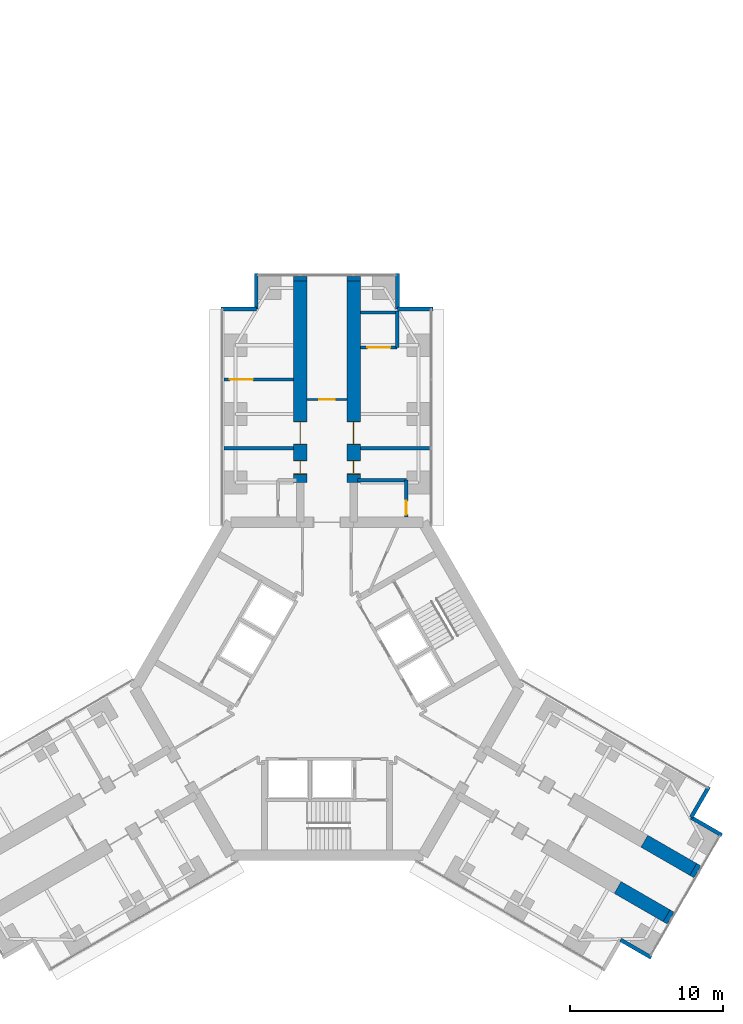
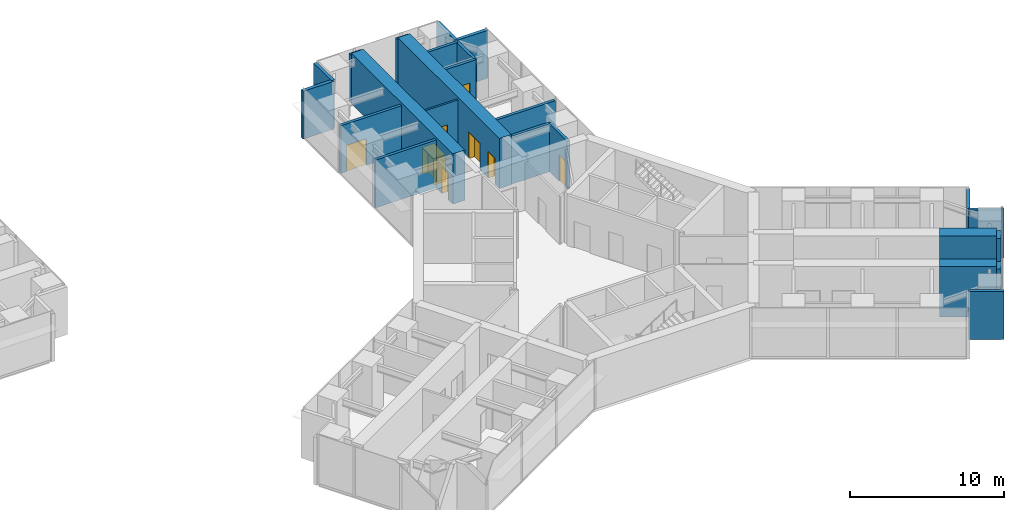
# One storey, part 21 of 23: 24 walls, 8 doors, 8 openings.
"""IFC4 building model written with IfcOpenShell, lengths in metres."""

from ifc_helpers import new_model, si_unit, direction, frame, frame_2d, origin, place, context, subcontext, project, spatial, rectangle, extrude, material, layer, layer_set, type_object, element, fill, save


model = new_model("IFC4")

# Units and contexts
model_context = context("Model", 3, precision=1e-05, world=origin(), true_north=direction((0.0, 1.0)))
body_context = subcontext(model_context, "Body", "Model", "MODEL_VIEW")
ifc_project = project(units=[si_unit("LENGTHUNIT", "METRE"), si_unit("AREAUNIT", "SQUARE_METRE"), si_unit("VOLUMEUNIT", "CUBIC_METRE"), si_unit("PLANEANGLEUNIT", "RADIAN"), si_unit("MASSUNIT", "GRAM", prefix="KILO")], contexts=[model_context])

# Site, building, storey
site_placement = place(None, origin())
site = spatial("IfcSite", under=ifc_project, at=site_placement, CompositionType="ELEMENT")
building_placement = place(site_placement, origin())
building = spatial("IfcBuilding", under=site, at=building_placement, Name="Upepo Twin Towers", CompositionType="ELEMENT")
storey_placement = place(building_placement, frame((0.0, 0.0, 28.5)))
storey = spatial("IfcBuildingStorey", under=building, at=storey_placement, Name="L06", CompositionType="ELEMENT", Elevation=28.5)

# Wall
ifc_material_1 = material(Name="Concrete blockwork, plastered both faces", Category="masonry")
ifc_layer_1 = layer(ifc_material_1, 0.215087890625)
ifc_layer_set_1 = layer_set([ifc_layer_1], Name="Blockwork partition 215")
wall_type_1 = type_object("IfcWallType", Name="Blockwork partition 215", PredefinedType="PARTITIONING", material=ifc_layer_set_1)
wall_1_placement = place(storey_placement, frame((56.300048828125, -2.25, 0.0), z_axis=(0.0, 0.0, 1.0), x_axis=(-1.0, 0.0, 0.0)))
element("IfcWall", 1, at=wall_1_placement, inside=storey, type_object=wall_type_1, Name="T2 partition AL at 15.75", PredefinedType="PARTITIONING", context=body_context, shape_type="SweptSolid", body=[
    extrude(rectangle(XDim=4.550048828125, YDim=0.215087890625, at=frame_2d((2.27490234375, 0.0))), origin(), (0.0, 0.0, 1.0), 3.800048828125),
])

# Wall, opening, door
wall_2_placement = place(storey_placement, frame((56.300048828125, 2.25, 0.0), z_axis=(0.0, 0.0, 1.0), x_axis=(-1.0, 0.0, 0.0)))
wall_2 = element("IfcWall", 2, at=wall_2_placement, inside=storey, type_object=wall_type_1, Name="T2 partition AL at 20.25", PredefinedType="PARTITIONING", context=body_context, shape_type="SweptSolid", body=[
    extrude(rectangle(XDim=4.550048828125, YDim=0.215087890625, at=frame_2d((2.27490234375, 0.0))), origin(), (0.0, 0.0, 1.0), 3.800048828125),
])
opening_1_placement = place(wall_2_placement, frame((2.64990234375, 0.0, 0.0)))
opening_1 = element("IfcOpeningElement", 3, at=opening_1_placement, cuts=wall_2, Name="Opening D13", PredefinedType="OPENING", context=body_context, shape_type="SweptSolid", body=[
    extrude(rectangle(XDim=1.5, YDim=2.10009765625, at=frame_2d((0.75, 1.050048828125))), frame((0.0, 0.117431640625, 0.0), z_axis=(0.0, -1.0, 0.0), x_axis=(1.0, 0.0, 0.0)), (0.0, 0.0, 1.0), 0.235107421875),
])
ifc_material_2 = material(Name="Timber doorset", Category="wood")
door_type_1 = type_object("IfcDoorType", Name="Double door 1500 FD30", OperationType="DOUBLE_DOOR_SINGLE_SWING", PredefinedType="DOOR", material=ifc_material_2)
door_1_placement = place(opening_1_placement, origin())
door_1 = element("IfcDoor", 4, at=door_1_placement, inside=storey, type_object=door_type_1, Name="T2 L06 connecting door", OperationType="DOUBLE_DOOR_SINGLE_SWING", OverallHeight=2.10009765625, OverallWidth=1.5, PredefinedType="DOOR", context=body_context, shape_type="SweptSolid", body=[
    extrude(rectangle(XDim=1.5, YDim=2.10009765625, at=frame_2d((0.75, 1.050048828125))), frame((0.0, 0.02490234375, 0.0), z_axis=(0.0, -1.0, 0.0), x_axis=(1.0, 0.0, 0.0)), (0.0, 0.0, 1.0), 0.050048828125),
])
fill(opening_1, door_1)

# Walls
wall_3_placement = place(storey_placement, frame((60.699951171875, -2.25, 0.0), z_axis=(0.0, 0.0, 1.0), x_axis=(1.0, 0.0, 0.0)))
element("IfcWall", 5, at=wall_3_placement, inside=storey, type_object=wall_type_1, Name="T2 partition AR at 15.75", PredefinedType="PARTITIONING", context=body_context, shape_type="SweptSolid", body=[
    extrude(rectangle(XDim=4.550048828125, YDim=0.215087890625, at=frame_2d((2.27490234375, 0.0))), origin(), (0.0, 0.0, 1.0), 3.800048828125),
])
wall_4_placement = place(storey_placement, frame((63.10009765625, 4.35009765625, 0.0), z_axis=(0.0, 0.0, 1.0), x_axis=(0.0, 1.0, 0.0)))
element("IfcWall", 6, at=wall_4_placement, inside=storey, type_object=wall_type_1, Name="T2 inner room partition AR at 22.35", PredefinedType="PARTITIONING", context=body_context, shape_type="SweptSolid", body=[
    extrude(rectangle(XDim=2.39990234375, YDim=0.215087890625, at=frame_2d((1.199951171875, 0.0))), origin(), (0.0, 0.0, 1.0), 3.800048828125),
])

# Wall, opening, door
wall_5_placement = place(storey_placement, frame((60.699951171875, 4.35009765625, 0.0), z_axis=(0.0, 0.0, 1.0), x_axis=(1.0, 0.0, 0.0)))
wall_5 = element("IfcWall", 7, at=wall_5_placement, inside=storey, type_object=wall_type_1, Name="T2 inner room partition AR end at 22.35", PredefinedType="PARTITIONING", context=body_context, shape_type="SweptSolid", body=[
    extrude(rectangle(XDim=2.400146484375, YDim=0.215087890625, at=frame_2d((1.2001953125, 0.0))), origin(), (0.0, 0.0, 1.0), 3.800048828125),
])
opening_2_placement = place(wall_5_placement, frame((0.449951171875, 0.0, 0.0)))
opening_2 = element("IfcOpeningElement", 8, at=opening_2_placement, cuts=wall_5, Name="Opening D13", PredefinedType="OPENING", context=body_context, shape_type="SweptSolid", body=[
    extrude(rectangle(XDim=1.5, YDim=2.10009765625, at=frame_2d((0.75, 1.050048828125))), frame((0.0, 0.117431640625, 0.0), z_axis=(0.0, -1.0, 0.0), x_axis=(1.0, 0.0, 0.0)), (0.0, 0.0, 1.0), 0.235107421875),
])
door_2_placement = place(opening_2_placement, origin())
door_2 = element("IfcDoor", 9, at=door_2_placement, inside=storey, type_object=door_type_1, Name="T2 L06 inner room door", OperationType="DOUBLE_DOOR_SINGLE_SWING", OverallHeight=2.10009765625, OverallWidth=1.5, PredefinedType="DOOR", context=body_context, shape_type="SweptSolid", body=[
    extrude(rectangle(XDim=1.5, YDim=2.10009765625, at=frame_2d((0.75, 1.050048828125))), frame((0.0, 0.02490234375, 0.0), z_axis=(0.0, -1.0, 0.0), x_axis=(1.0, 0.0, 0.0)), (0.0, 0.0, 1.0), 0.050048828125),
])
fill(opening_2, door_2)

# Wall
wall_6_placement = place(storey_placement, frame((60.699951171875, 6.642578125, 0.0), z_axis=(0.0, 0.0, 1.0), x_axis=(1.0, 0.0, 0.0)))
element("IfcWall", 10, at=wall_6_placement, inside=storey, type_object=wall_type_1, Name="T2 inner room partition AR end at 24.75", PredefinedType="PARTITIONING", context=body_context, shape_type="SweptSolid", body=[
    extrude(rectangle(XDim=2.400146484375, YDim=0.215087890625, at=frame_2d((1.2001953125, 0.0))), origin(), (0.0, 0.0, 1.0), 3.800048828125),
])

# Wall, opening, door
wall_7_placement = place(storey_placement, frame((63.699951171875, -6.741943359375, 0.0), z_axis=(0.0, 0.0, 1.0), x_axis=(0.0, 1.0, 0.0)))
wall_7 = element("IfcWall", 11, at=wall_7_placement, inside=storey, type_object=wall_type_1, Name="T2 WC bay partition AR at 11.26", PredefinedType="PARTITIONING", context=body_context, shape_type="SweptSolid", body=[
    extrude(rectangle(XDim=2.39990234375, YDim=0.215087890625, at=frame_2d((1.199951171875, 0.0))), origin(), (0.0, 0.0, 1.0), 3.800048828125),
])
opening_3_placement = place(wall_7_placement, frame((0.14990234375, 0.0, 0.0)))
opening_3 = element("IfcOpeningElement", 12, at=opening_3_placement, cuts=wall_7, Name="Opening D14", PredefinedType="OPENING", context=body_context, shape_type="SweptSolid", body=[
    extrude(rectangle(XDim=0.89990234375, YDim=2.10009765625, at=frame_2d((0.449951171875, 1.050048828125))), frame((0.0, 0.117431640625, 0.0), z_axis=(0.0, -1.0, 0.0), x_axis=(1.0, 0.0, 0.0)), (0.0, 0.0, 1.0), 0.235107421875),
])
ifc_material_3 = material(Name="Timber doorset", Category="wood")
door_type_2 = type_object("IfcDoorType", Name="Office door 900 FD30", OperationType="SINGLE_SWING_LEFT", PredefinedType="DOOR", material=ifc_material_3)
door_3_placement = place(opening_3_placement, origin())
door_3 = element("IfcDoor", 13, at=door_3_placement, inside=storey, type_object=door_type_2, Name="T2 L06 WC bay inner room door", OperationType="SINGLE_SWING_LEFT", OverallHeight=2.10009765625, OverallWidth=0.89990234375, PredefinedType="DOOR", context=body_context, shape_type="SweptSolid", body=[
    extrude(rectangle(XDim=0.89990234375, YDim=2.10009765625, at=frame_2d((0.449951171875, 1.050048828125))), frame((0.0, 0.02490234375, 0.0), z_axis=(0.0, -1.0, 0.0), x_axis=(1.0, 0.0, 0.0)), (0.0, 0.0, 1.0), 0.050048828125),
])
fill(opening_3, door_3)

# Walls
wall_8_placement = place(storey_placement, frame((60.5, -4.342041015625, 0.0), z_axis=(0.0, 0.0, 1.0), x_axis=(1.0, 0.0, 0.0)))
element("IfcWall", 14, at=wall_8_placement, inside=storey, type_object=wall_type_1, Name="T2 WC bay partition AR end at 13.66", PredefinedType="PARTITIONING", context=body_context, shape_type="SweptSolid", body=[
    extrude(rectangle(XDim=3.199951171875, YDim=0.215087890625, at=frame_2d((1.60009765625, 0.0))), origin(), (0.0, 0.0, 1.0), 3.800048828125),
])
ifc_material_4 = material(Name="Dense concrete blockwork", Category="masonry")
ifc_layer_2 = layer(ifc_material_4, 0.89990234375)
ifc_layer_set_2 = layer_set([ifc_layer_2], Name="Buttress closer 900, blockwork with fire-stopping to the curtain wall")
wall_type_2 = type_object("IfcWallType", Name="Buttress closer 900, blockwork with fire-stopping to the curtain wall", PredefinedType="PARTITIONING", material=ifc_layer_set_2)
for number, where, z_axis, x_axis, name in (
    (15, (56.75, 8.699951171875, 0.0), (0.0, 0.0, 1.0), (0.0, 1.0, 0.0), "T2 L06 wing A buttress closer L"),
    (16, (60.25, 8.699951171875, 0.0), (0.0, 0.0, 1.0), (0.0, 1.0, 0.0), "T2 L06 wing A buttress closer R"),
    (17, (82.497802734375, -29.83447265625, 0.0), (0.0, 0.0, 1.0), (0.866054481515, -0.499949632511, 0.0), "T2 L06 wing C buttress closer L"),
    (18, (80.747802734375, -32.865478515625, 0.0), (0.0, 0.0, 1.0), (0.866054481515, -0.499949632511, 0.0), "T2 L06 wing C buttress closer R"),
):
    element("IfcWall", number, at=place(storey_placement, frame(where, z_axis=z_axis, x_axis=x_axis)), inside=storey, type_object=wall_type_2, Name=name, PredefinedType="PARTITIONING", context=body_context, shape_type="SweptSolid", body=[
        extrude(rectangle(XDim=0.31005859375, YDim=0.89990234375, at=frame_2d((0.155029296875, 0.0))), origin(), (0.0, 0.0, 1.0), 3.800048828125),
    ])

# Wall, openings, doors
ifc_material_5 = material(Name="Concrete C60/75", Category="concrete")
ifc_layer_3 = layer(ifc_material_5, 0.89990234375)
ifc_layer_set_3 = layer_set([ifc_layer_3], Name="Concrete C60/75")
wall_type_3 = type_object("IfcWallType", Name="Buttress wall 900 RC", PredefinedType="SHEAR", material=ifc_layer_set_3)
wall_9_placement = place(storey_placement, frame((56.75, -4.5, 0.0), z_axis=(0.0, 0.0, 1.0), x_axis=(0.0, 1.0, 0.0)))
wall_9 = element("IfcWall", 19, at=wall_9_placement, inside=storey, type_object=wall_type_3, Name="T2 wing A buttress wall L part 2", PredefinedType="SHEAR", context=body_context, shape_type="SweptSolid", body=[
    extrude(rectangle(XDim=13.199951171875, YDim=0.89990234375, at=frame_2d((6.60009765625, 0.0))), origin(), (0.0, 0.0, 1.0), 4.0),
])
opening_4_placement = place(wall_9_placement, frame((0.550048828125, 0.0, 0.0)))
opening_4 = element("IfcOpeningElement", 20, at=opening_4_placement, cuts=wall_9, Name="Opening D11", PredefinedType="OPENING", context=body_context, shape_type="SweptSolid", body=[
    extrude(rectangle(XDim=0.89990234375, YDim=2.10009765625, at=frame_2d((0.449951171875, 1.050048828125))), frame((0.0, 0.4599609375, 0.0), z_axis=(0.0, -1.0, 0.0), x_axis=(1.0, 0.0, 0.0)), (0.0, 0.0, 1.0), 0.919921875),
])
opening_5_placement = place(wall_9_placement, frame((2.5, 0.0, 0.0)))
opening_5 = element("IfcOpeningElement", 21, at=opening_5_placement, cuts=wall_9, Name="Opening D13", PredefinedType="OPENING", context=body_context, shape_type="SweptSolid", body=[
    extrude(rectangle(XDim=1.5, YDim=2.10009765625, at=frame_2d((0.75, 1.050048828125))), frame((0.0, 0.4599609375, 0.0), z_axis=(0.0, -1.0, 0.0), x_axis=(1.0, 0.0, 0.0)), (0.0, 0.0, 1.0), 0.919921875),
])
door_4_placement = place(opening_5_placement, origin())
door_4 = element("IfcDoor", 22, at=door_4_placement, inside=storey, type_object=door_type_1, Name="T2 L06 tutorial room door", OperationType="DOUBLE_DOOR_SINGLE_SWING", OverallHeight=2.10009765625, OverallWidth=1.5, PredefinedType="DOOR", context=body_context, shape_type="SweptSolid", body=[
    extrude(rectangle(XDim=1.42, YDim=2.06009765625, at=frame_2d((0.75, 1.030029296875))), frame((0.0, 0.02490234375, 0.0), z_axis=(0.0, -1.0, 0.0), x_axis=(1.0, 0.0, 0.0)), (0.0, 0.0, 1.0), 0.050048828125),
    extrude(rectangle(XDim=0.04, YDim=2.10009765625, at=frame_2d((0.02001953125, 1.050048828125))), frame((0.0, 0.44970703125, 0.0), z_axis=(0.0, -1.0, 0.0), x_axis=(1.0, 0.0, 0.0)), (0.0, 0.0, 1.0), 0.8994140625),
    extrude(rectangle(XDim=0.04, YDim=2.10009765625, at=frame_2d((1.47998046875, 1.050048828125))), frame((0.0, 0.44970703125, 0.0), z_axis=(0.0, -1.0, 0.0), x_axis=(1.0, 0.0, 0.0)), (0.0, 0.0, 1.0), 0.8994140625),
    extrude(rectangle(XDim=1.42, YDim=0.04, at=frame_2d((0.75, 2.080078125))), frame((0.0, 0.44970703125, 0.0), z_axis=(0.0, -1.0, 0.0), x_axis=(1.0, 0.0, 0.0)), (0.0, 0.0, 1.0), 0.8994140625),
])
fill(opening_5, door_4)
ifc_material_6 = material(Name="Timber doorset", Category="wood")
door_type_3 = type_object("IfcDoorType", Name="Toilet door 900", OperationType="SINGLE_SWING_LEFT", PredefinedType="DOOR", material=ifc_material_6)
door_5_placement = place(opening_4_placement, origin())
door_5 = element("IfcDoor", 23, at=door_5_placement, inside=storey, type_object=door_type_3, Name="T2 L06 toilets door", OperationType="SINGLE_SWING_LEFT", OverallHeight=2.10009765625, OverallWidth=0.89990234375, PredefinedType="DOOR", context=body_context, shape_type="SweptSolid", body=[
    extrude(rectangle(XDim=0.81990234375, YDim=2.06009765625, at=frame_2d((0.449951171875, 1.030029296875))), frame((0.0, 0.02490234375, 0.0), z_axis=(0.0, -1.0, 0.0), x_axis=(1.0, 0.0, 0.0)), (0.0, 0.0, 1.0), 0.050048828125),
    extrude(rectangle(XDim=0.04, YDim=2.10009765625, at=frame_2d((0.02001953125, 1.050048828125))), frame((0.0, 0.44970703125, 0.0), z_axis=(0.0, -1.0, 0.0), x_axis=(1.0, 0.0, 0.0)), (0.0, 0.0, 1.0), 0.8994140625),
    extrude(rectangle(XDim=0.04, YDim=2.10009765625, at=frame_2d((0.8798828125, 1.050048828125))), frame((0.0, 0.44970703125, 0.0), z_axis=(0.0, -1.0, 0.0), x_axis=(1.0, 0.0, 0.0)), (0.0, 0.0, 1.0), 0.8994140625),
    extrude(rectangle(XDim=0.81990234375, YDim=0.04, at=frame_2d((0.449951171875, 2.080078125))), frame((0.0, 0.44970703125, 0.0), z_axis=(0.0, -1.0, 0.0), x_axis=(1.0, 0.0, 0.0)), (0.0, 0.0, 1.0), 0.8994140625),
])
fill(opening_4, door_5)

wall_10_placement = place(storey_placement, frame((60.25, -4.5, 0.0), z_axis=(0.0, 0.0, 1.0), x_axis=(0.0, 1.0, 0.0)))
wall_10 = element("IfcWall", 24, at=wall_10_placement, inside=storey, type_object=wall_type_3, Name="T2 wing A buttress wall R part 2", PredefinedType="SHEAR", context=body_context, shape_type="SweptSolid", body=[
    extrude(rectangle(XDim=13.199951171875, YDim=0.89990234375, at=frame_2d((6.60009765625, 0.0))), origin(), (0.0, 0.0, 1.0), 4.0),
])
opening_6_placement = place(wall_10_placement, frame((0.550048828125, 0.0, 0.0)))
opening_6 = element("IfcOpeningElement", 25, at=opening_6_placement, cuts=wall_10, Name="Opening D11", PredefinedType="OPENING", context=body_context, shape_type="SweptSolid", body=[
    extrude(rectangle(XDim=0.89990234375, YDim=2.10009765625, at=frame_2d((0.449951171875, 1.050048828125))), frame((0.0, 0.4599609375, 0.0), z_axis=(0.0, -1.0, 0.0), x_axis=(1.0, 0.0, 0.0)), (0.0, 0.0, 1.0), 0.919921875),
])
opening_7_placement = place(wall_10_placement, frame((2.5, 0.0, 0.0)))
opening_7 = element("IfcOpeningElement", 26, at=opening_7_placement, cuts=wall_10, Name="Opening D13", PredefinedType="OPENING", context=body_context, shape_type="SweptSolid", body=[
    extrude(rectangle(XDim=1.5, YDim=2.10009765625, at=frame_2d((0.75, 1.050048828125))), frame((0.0, 0.4599609375, 0.0), z_axis=(0.0, -1.0, 0.0), x_axis=(1.0, 0.0, 0.0)), (0.0, 0.0, 1.0), 0.919921875),
])
door_6_placement = place(opening_7_placement, origin())
door_6 = element("IfcDoor", 27, at=door_6_placement, inside=storey, type_object=door_type_1, Name="T2 L06 lecture room door", OperationType="DOUBLE_DOOR_SINGLE_SWING", OverallHeight=2.10009765625, OverallWidth=1.5, PredefinedType="DOOR", context=body_context, shape_type="SweptSolid", body=[
    extrude(rectangle(XDim=1.42, YDim=2.06009765625, at=frame_2d((0.75, 1.030029296875))), frame((0.0, 0.02490234375, 0.0), z_axis=(0.0, -1.0, 0.0), x_axis=(1.0, 0.0, 0.0)), (0.0, 0.0, 1.0), 0.050048828125),
    extrude(rectangle(XDim=0.04, YDim=2.10009765625, at=frame_2d((0.02001953125, 1.050048828125))), frame((0.0, 0.44970703125, 0.0), z_axis=(0.0, -1.0, 0.0), x_axis=(1.0, 0.0, 0.0)), (0.0, 0.0, 1.0), 0.8994140625),
    extrude(rectangle(XDim=0.04, YDim=2.10009765625, at=frame_2d((1.47998046875, 1.050048828125))), frame((0.0, 0.44970703125, 0.0), z_axis=(0.0, -1.0, 0.0), x_axis=(1.0, 0.0, 0.0)), (0.0, 0.0, 1.0), 0.8994140625),
    extrude(rectangle(XDim=1.42, YDim=0.04, at=frame_2d((0.75, 2.080078125))), frame((0.0, 0.44970703125, 0.0), z_axis=(0.0, -1.0, 0.0), x_axis=(1.0, 0.0, 0.0)), (0.0, 0.0, 1.0), 0.8994140625),
])
fill(opening_7, door_6)
door_7_placement = place(opening_6_placement, origin())
door_7 = element("IfcDoor", 28, at=door_7_placement, inside=storey, type_object=door_type_3, Name="T2 L06 accessible wc door", OperationType="SINGLE_SWING_LEFT", OverallHeight=2.10009765625, OverallWidth=0.89990234375, PredefinedType="DOOR", context=body_context, shape_type="SweptSolid", body=[
    extrude(rectangle(XDim=0.81990234375, YDim=2.06009765625, at=frame_2d((0.449951171875, 1.030029296875))), frame((0.0, 0.02490234375, 0.0), z_axis=(0.0, -1.0, 0.0), x_axis=(1.0, 0.0, 0.0)), (0.0, 0.0, 1.0), 0.050048828125),
    extrude(rectangle(XDim=0.04, YDim=2.10009765625, at=frame_2d((0.02001953125, 1.050048828125))), frame((0.0, 0.44970703125, 0.0), z_axis=(0.0, -1.0, 0.0), x_axis=(1.0, 0.0, 0.0)), (0.0, 0.0, 1.0), 0.8994140625),
    extrude(rectangle(XDim=0.04, YDim=2.10009765625, at=frame_2d((0.8798828125, 1.050048828125))), frame((0.0, 0.44970703125, 0.0), z_axis=(0.0, -1.0, 0.0), x_axis=(1.0, 0.0, 0.0)), (0.0, 0.0, 1.0), 0.8994140625),
    extrude(rectangle(XDim=0.81990234375, YDim=0.04, at=frame_2d((0.449951171875, 2.080078125))), frame((0.0, 0.44970703125, 0.0), z_axis=(0.0, -1.0, 0.0), x_axis=(1.0, 0.0, 0.0)), (0.0, 0.0, 1.0), 0.8994140625),
])
fill(opening_6, door_7)

# Walls
wall_11_placement = place(storey_placement, frame((79.293701171875, -27.984375, 0.0), z_axis=(0.0, 0.0, 1.0), x_axis=(0.866000971088, -0.500042316284, 0.0)))
element("IfcWall", 29, at=wall_11_placement, inside=storey, type_object=wall_type_3, Name="T2 wing C buttress wall L part 3", PredefinedType="SHEAR", context=body_context, shape_type="SweptSolid", body=[
    extrude(rectangle(XDim=3.699951171875, YDim=0.89990234375, at=frame_2d((1.85009765625, 0.0))), origin(), (0.0, 0.0, 1.0), 4.0),
])
wall_12_placement = place(storey_placement, frame((77.543701171875, -31.015625, 0.0), z_axis=(0.0, 0.0, 1.0), x_axis=(0.866029545028, -0.499992827086, 0.0)))
element("IfcWall", 30, at=wall_12_placement, inside=storey, type_object=wall_type_3, Name="T2 wing C buttress wall R part 3", PredefinedType="SHEAR", context=body_context, shape_type="SweptSolid", body=[
    extrude(rectangle(XDim=3.69970703125, YDim=0.89990234375, at=frame_2d((1.849853515625, 0.0))), origin(), (0.0, 0.0, 1.0), 4.0),
])
ifc_material_7 = material(Name="Blockwork with anodised aluminium cladding", Category="masonry")
ifc_layer_4 = layer(ifc_material_7, 0.25)
ifc_layer_set_4 = layer_set([ifc_layer_4], Name="Notch cladding wall 250, pale metal")
wall_type_4 = type_object("IfcWallType", Name="Notch cladding wall 250, pale metal", PredefinedType="STANDARD", material=ifc_layer_set_4)
for number, where, z_axis, x_axis, name in (
    (31, (51.550048828125, 6.875, 0.0), (0.0, 0.0, 1.0), (1.0, 0.0, 0.0), "T2 L06 wing A notch wall L1"),
    (32, (53.875, 6.875, 0.0), (0.0, 0.0, 1.0), (0.0, 1.0, 0.0), "T2 L06 wing A notch wall L2"),
    (33, (65.449951171875, 6.875, 0.0), (0.0, 0.0, 1.0), (-1.0, 0.0, 0.0), "T2 L06 wing A notch wall R1"),
    (34, (63.125, 6.875, 0.0), (0.0, 0.0, 1.0), (0.0, 1.0, 0.0), "T2 L06 wing A notch wall R2"),
    (35, (83.517333984375, -24.418701171875, 0.0), (0.0, 0.0, 1.0), (-0.499967891604, -0.866043940782, 0.0), "T2 L06 wing C notch wall L1"),
    (36, (82.35498046875, -26.43212890625, 0.0), (0.0, 0.0, 1.0), (0.865998469481, -0.500046648681, 0.0), "T2 L06 wing C notch wall L2"),
    (37, (77.72998046875, -34.44287109375, 0.0), (0.0, 0.0, 1.0), (0.865998469481, -0.500046648681, 0.0), "T2 L06 wing C notch wall R2"),
):
    element("IfcWall", number, at=place(storey_placement, frame(where, z_axis=z_axis, x_axis=x_axis)), inside=storey, type_object=wall_type_4, Name=name, PredefinedType="STANDARD", context=body_context, shape_type="SweptSolid", body=[
        extrude(rectangle(XDim=2.324951171875, YDim=0.25, at=frame_2d((1.16259765625, 0.0))), origin(), (0.0, 0.0, 1.0), 3.800048828125),
    ])

# Wall, opening, door
ifc_material_8 = material(Name="Gypsum board on steel studs", Category="steel")
ifc_layer_5 = layer(ifc_material_8, 0.14990234375)
ifc_layer_set_5 = layer_set([ifc_layer_5], Name="Teaching partition 150 acoustic")
wall_type_5 = type_object("IfcWallType", Name="Teaching partition 150 acoustic", PredefinedType="PARTITIONING", material=ifc_layer_set_5)
wall_13_placement = place(storey_placement, frame((59.800048828125, 0.949951171875, 0.0), z_axis=(0.0, 0.0, 1.0), x_axis=(-1.0, 0.0, 0.0)))
wall_13 = element("IfcWall", 38, at=wall_13_placement, inside=storey, type_object=wall_type_5, Name="T2 corridor end partition A at 18.95", PredefinedType="PARTITIONING", context=body_context, shape_type="SweptSolid", body=[
    extrude(rectangle(XDim=2.60009765625, YDim=0.14990234375, at=frame_2d((1.300048828125, 0.0))), origin(), (0.0, 0.0, 1.0), 3.800048828125),
])
opening_8_placement = place(wall_13_placement, frame((0.800048828125, 0.0, 0.0)))
opening_8 = element("IfcOpeningElement", 39, at=opening_8_placement, cuts=wall_13, Name="Opening D1", PredefinedType="OPENING", context=body_context, shape_type="SweptSolid", body=[
    extrude(rectangle(XDim=1.0, YDim=2.10009765625, at=frame_2d((0.5, 1.050048828125))), frame((0.0, 0.0849609375, 0.0), z_axis=(0.0, -1.0, 0.0), x_axis=(1.0, 0.0, 0.0)), (0.0, 0.0, 1.0), 0.169921875),
])
ifc_material_9 = material(Name="Timber doorset", Category="wood")
door_type_4 = type_object("IfcDoorType", Name="Room door 1000 FD30", OperationType="SINGLE_SWING_LEFT", PredefinedType="DOOR", material=ifc_material_9)
door_8_placement = place(opening_8_placement, origin())
door_8 = element("IfcDoor", 40, at=door_8_placement, inside=storey, type_object=door_type_4, Name="T2 L06 breakout study room door", OperationType="SINGLE_SWING_LEFT", OverallHeight=2.10009765625, OverallWidth=1.0, PredefinedType="DOOR", context=body_context, shape_type="SweptSolid", body=[
    extrude(rectangle(XDim=1.0, YDim=2.10009765625, at=frame_2d((0.5, 1.050048828125))), frame((0.0, 0.02490234375, 0.0), z_axis=(0.0, -1.0, 0.0), x_axis=(1.0, 0.0, 0.0)), (0.0, 0.0, 1.0), 0.050048828125),
])
fill(opening_8, door_8)

save(model, "model.ifc")
